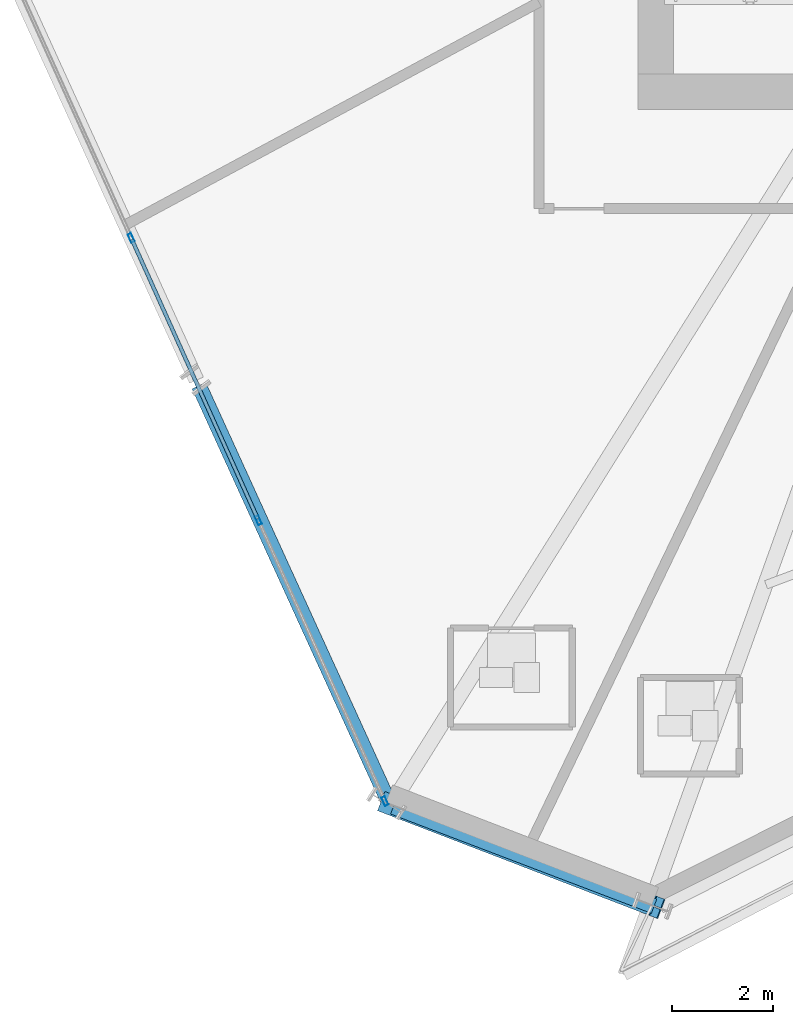
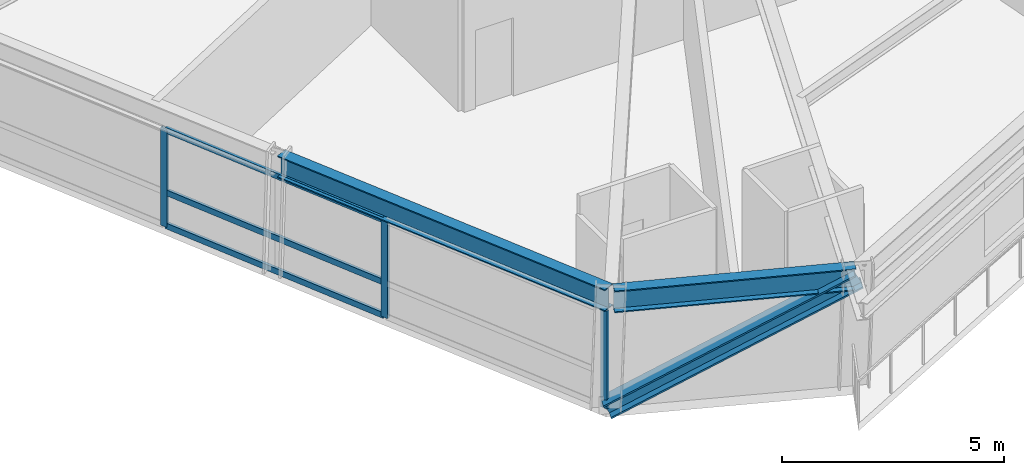
# One storey, part 2 of 22: 7 members, 2 beams, 1 element without a shape of its own.
"""IFC4 building model written with IfcOpenShell, lengths in metres."""

from ifc_helpers import new_model, si_unit, direction, frame, origin, origin_2d, place, context, subcontext, project, spatial, hollow_rectangle, i_section, extrude, source, transform, mapped, material, material_profile, profile_set, type_object, element, aggregate, save


model = new_model("IFC4")

# Units and contexts
model_context = context("Model", 3, precision=1e-05, world=origin(), true_north=direction((0.0, 1.0)))
body_context = subcontext(model_context, "Body", "Model", "MODEL_VIEW")
ifc_project = project(units=[si_unit("LENGTHUNIT", "METRE"), si_unit("AREAUNIT", "SQUARE_METRE"), si_unit("VOLUMEUNIT", "CUBIC_METRE"), si_unit("PLANEANGLEUNIT", "RADIAN"), si_unit("MASSUNIT", "GRAM", prefix="KILO")], contexts=[model_context])

# Site, building, storey
site_placement = place(None, origin())
site = spatial("IfcSite", under=ifc_project, at=site_placement, CompositionType="ELEMENT")
building_placement = place(site_placement, origin())
building = spatial("IfcBuilding", under=site, at=building_placement, Name="Olszyna Solenne Hotel", CompositionType="ELEMENT")
storey_placement = place(building_placement, frame((0.0, 0.0, 87.949951171875)))
storey = spatial("IfcBuildingStorey", under=building, at=storey_placement, Name="L22", CompositionType="ELEMENT", Elevation=87.949951171875)

# Beams
ifc_material_1 = material(Name="Steel S355J2", Category="steel")
ifc_material_profile_1 = material_profile(ifc_material_1, i_section(OverallWidth=0.300048828125, OverallDepth=0.60009765625, WebThickness=0.015380859375, FlangeThickness=0.030029296875, at=origin_2d()), Name="HEB 600", Category="load-bearing")
ifc_profile_set_1 = profile_set([ifc_material_profile_1], Name="Steel S355J2")
beam_type = type_object("IfcBeamType", Name="BM-S2", PredefinedType="BEAM", material=ifc_profile_set_1)
shared_shape_1 = source(origin(), body_context, "Body", "SweptSolid", [
    extrude(i_section(OverallWidth=0.300048828125, OverallDepth=0.60009765625, WebThickness=0.015380859375, FlangeThickness=0.030029296875, at=origin_2d()), origin(), (0.0, 0.0, 1.0), 5.500732421875),
])
beam_1_placement = place(storey_placement, frame((24.578125, 5.053466796875, 3.0), z_axis=(0.934522182076, -0.355904890676, 0.0), x_axis=(0.355904890676, 0.934522182076, 0.0)))
element("IfcBeam", 1, at=beam_1_placement, inside=storey, type_object=beam_type, Name="Perimeter spandrel beam BM-S2 B-L22-0670", PredefinedType="BEAM", context=body_context, shape_type="MappedRepresentation", body=[
    mapped(shared_shape_1, transform((0.0, 0.0, 0.0), x_axis=(1.0, 0.0, 0.0), y_axis=(0.0, 1.0, 0.0), z_axis=(0.0, 0.0, 1.0), scale=1.0)),
])
shared_shape_2 = source(origin(), body_context, "Body", "SweptSolid", [
    extrude(i_section(OverallWidth=0.300048828125, OverallDepth=0.60009765625, WebThickness=0.015380859375, FlangeThickness=0.030029296875, at=origin_2d()), origin(), (0.0, 0.0, 1.0), 9.04345703125),
])
beam_2_placement = place(storey_placement, frame((20.745849609375, 13.358154296875, 3.0), z_axis=(0.414821694464, -0.909902721066, 0.0), x_axis=(0.909902721066, 0.414821694464, 0.0)))
element("IfcBeam", 2, at=beam_2_placement, inside=storey, type_object=beam_type, Name="Perimeter spandrel beam BM-S2 B-L22-0669", PredefinedType="BEAM", context=body_context, shape_type="MappedRepresentation", body=[
    mapped(shared_shape_2, transform((0.0, 0.0, 0.0), x_axis=(1.0, 0.0, 0.0), y_axis=(0.0, 1.0, 0.0), z_axis=(0.0, 0.0, 1.0), scale=1.0)),
])

# Member
ifc_material_2 = material(Name="Steel S460M", Category="steel")
ifc_material_profile_2 = material_profile(ifc_material_2, i_section(OverallWidth=0.406005859375, OverallDepth=0.416015625, WebThickness=0.026611328125, FlangeThickness=0.04150390625, at=origin_2d()), Name="HD 400x382", Category="load-bearing")
ifc_profile_set_2 = profile_set([ifc_material_profile_2], Name="Steel S460M")
member_type_1 = type_object("IfcMemberType", Name="BR-T2", PredefinedType="BRACE", material=ifc_profile_set_2)
shared_shape_3 = source(origin(), body_context, "Body", "SweptSolid", [
    extrude(i_section(OverallWidth=0.406005859375, OverallDepth=0.416015625, WebThickness=0.026611328125, FlangeThickness=0.04150390625, at=origin_2d()), origin(), (0.0, 0.0, 1.0), 6.448974609375),
])
member_1_placement = place(storey_placement, frame((24.42822265625, 5.134033203125, 0.010009765625), z_axis=(0.8290653314, -0.319360508479, 0.458976624562), x_axis=(0.359458724877, 0.933160985634, 0.0)))
element("IfcMember", 3, at=member_1_placement, inside=storey, type_object=member_type_1, Name="Perimeter braced-tube diagonal BR-T2 BR-L22-3", PredefinedType="BRACE", context=body_context, shape_type="MappedRepresentation", body=[
    mapped(shared_shape_3, transform((0.0, 0.0, 0.0), x_axis=(1.0, 0.0, 0.0), y_axis=(0.0, 1.0, 0.0), z_axis=(0.0, 0.0, 1.0), scale=1.0)),
])

# Curtain wall, members
ifc_material_3 = material(Name="Anodised bronze aluminium", Category="aluminium")
curtain_wall_type = type_object("IfcCurtainWallType", Name="CW-SYS-3", PredefinedType="NOTDEFINED", material=ifc_material_3)
curtain_wall_placement = place(storey_placement, origin())
curtain_wall = element("IfcCurtainWall", 4, at=curtain_wall_placement, inside=storey, type_object=curtain_wall_type, Name="Unitised curtain wall CW-SYS-3 CW-L22-01", PredefinedType="NOTDEFINED")
ifc_material_profile_3 = material_profile(ifc_material_3, hollow_rectangle(XDim=0.074951171875, YDim=0.179931640625, WallThickness=0.00439453125, at=origin_2d()), Name="MULL 180x75x4.5", Category="load-bearing")
ifc_profile_set_3 = profile_set([ifc_material_profile_3], Name="Anodised bronze aluminium")
member_type_2 = type_object("IfcMemberType", Name="CW-M2", PredefinedType="MULLION", material=ifc_profile_set_3)
shared_shape_4 = source(origin(), body_context, "Body", "SweptSolid", [
    extrude(hollow_rectangle(XDim=0.074951171875, YDim=0.179931640625, WallThickness=0.00439453125, at=origin_2d()), origin(), (0.0, 0.0, 1.0), 2.692138671875),
])
member_2_placement = place(storey_placement, frame((19.40869140625, 16.27294921875, 0.0), z_axis=(0.0, 0.0, 1.0), x_axis=(0.911704320183, 0.410846969759, 0.0)))
member_2 = element("IfcMember", 5, at=member_2_placement, type_object=member_type_2, Name="Curtain-wall mullion CW-M2 CM-L22-01-02", PredefinedType="MULLION", context=body_context, shape_type="MappedRepresentation", body=[
    mapped(shared_shape_4, transform((0.0, 0.0, 0.0), x_axis=(1.0, 0.0, 0.0), y_axis=(0.0, 1.0, 0.0), z_axis=(0.0, 0.0, 1.0), scale=1.0)),
])
member_3_placement = place(storey_placement, frame((21.91845703125, 10.70361328125, 0.0), z_axis=(0.0, 0.0, 1.0), x_axis=(0.911704320183, 0.410846969759, 0.0)))
member_3 = element("IfcMember", 6, at=member_3_placement, type_object=member_type_2, Name="Curtain-wall mullion CW-M2 CM-L22-01-03", PredefinedType="MULLION", context=body_context, shape_type="MappedRepresentation", body=[
    mapped(shared_shape_4, transform((0.0, 0.0, 0.0), x_axis=(1.0, 0.0, 0.0), y_axis=(0.0, 1.0, 0.0), z_axis=(0.0, 0.0, 1.0), scale=1.0)),
])
member_4_placement = place(storey_placement, frame((24.412841796875, 5.168212890625, 0.0), z_axis=(0.0, 0.0, 1.0), x_axis=(0.911704320183, 0.410846969759, 0.0)))
member_4 = element("IfcMember", 7, at=member_4_placement, type_object=member_type_2, Name="Curtain-wall mullion CW-M2 CM-L22-01-04", PredefinedType="MULLION", context=body_context, shape_type="MappedRepresentation", body=[
    mapped(shared_shape_4, transform((0.0, 0.0, 0.0), x_axis=(1.0, 0.0, 0.0), y_axis=(0.0, 1.0, 0.0), z_axis=(0.0, 0.0, 1.0), scale=1.0)),
])
ifc_material_profile_4 = material_profile(ifc_material_3, hollow_rectangle(XDim=0.074951171875, YDim=0.159912109375, WallThickness=0.00390625, at=origin_2d()), Name="TRAN 160x75x4", Category="load-bearing")
ifc_profile_set_4 = profile_set([ifc_material_profile_4], Name="Anodised bronze aluminium")
member_type_3 = type_object("IfcMemberType", Name="CW-T1", PredefinedType="USERDEFINED", material=ifc_profile_set_4)
shared_shape_5 = source(origin(), body_context, "Body", "SweptSolid", [
    extrude(hollow_rectangle(XDim=0.074951171875, YDim=0.159912109375, WallThickness=0.00390625, at=origin_2d()), origin(), (0.0, 0.0, 1.0), 6.03369140625),
])
member_5_placement = place(storey_placement, frame((19.424072265625, 16.23876953125, 0.03759765625), z_axis=(0.410855887648, -0.911700301407, 0.0), x_axis=(0.911700301407, 0.410855887648, 0.0)))
member_5 = element("IfcMember", 8, at=member_5_placement, type_object=member_type_3, Name="Curtain-wall transom CW-T1 CT-L22-01-04", ObjectType="TRANSOM", PredefinedType="USERDEFINED", context=body_context, shape_type="MappedRepresentation", body=[
    mapped(shared_shape_5, transform((0.0, 0.0, 0.0), x_axis=(1.0, 0.0, 0.0), y_axis=(0.0, 1.0, 0.0), z_axis=(0.0, 0.0, 1.0), scale=1.0)),
])
member_6_placement = place(storey_placement, frame((19.424072265625, 16.23876953125, 0.949951171875), z_axis=(0.410855887648, -0.911700301407, 0.0), x_axis=(0.911700301407, 0.410855887648, 0.0)))
member_6 = element("IfcMember", 9, at=member_6_placement, type_object=member_type_3, Name="Curtain-wall transom CW-T1 CT-L22-01-05", ObjectType="TRANSOM", PredefinedType="USERDEFINED", context=body_context, shape_type="MappedRepresentation", body=[
    mapped(shared_shape_5, transform((0.0, 0.0, 0.0), x_axis=(1.0, 0.0, 0.0), y_axis=(0.0, 1.0, 0.0), z_axis=(0.0, 0.0, 1.0), scale=1.0)),
])
member_7_placement = place(storey_placement, frame((19.424072265625, 16.23876953125, 2.654541015625), z_axis=(0.410855887648, -0.911700301407, 0.0), x_axis=(0.911700301407, 0.410855887648, 0.0)))
member_7 = element("IfcMember", 10, at=member_7_placement, type_object=member_type_3, Name="Curtain-wall transom CW-T1 CT-L22-01-06", ObjectType="TRANSOM", PredefinedType="USERDEFINED", context=body_context, shape_type="MappedRepresentation", body=[
    mapped(shared_shape_5, transform((0.0, 0.0, 0.0), x_axis=(1.0, 0.0, 0.0), y_axis=(0.0, 1.0, 0.0), z_axis=(0.0, 0.0, 1.0), scale=1.0)),
])
aggregate(curtain_wall, [member_2, member_3, member_4, member_5, member_6, member_7])

save(model, "model.ifc")
